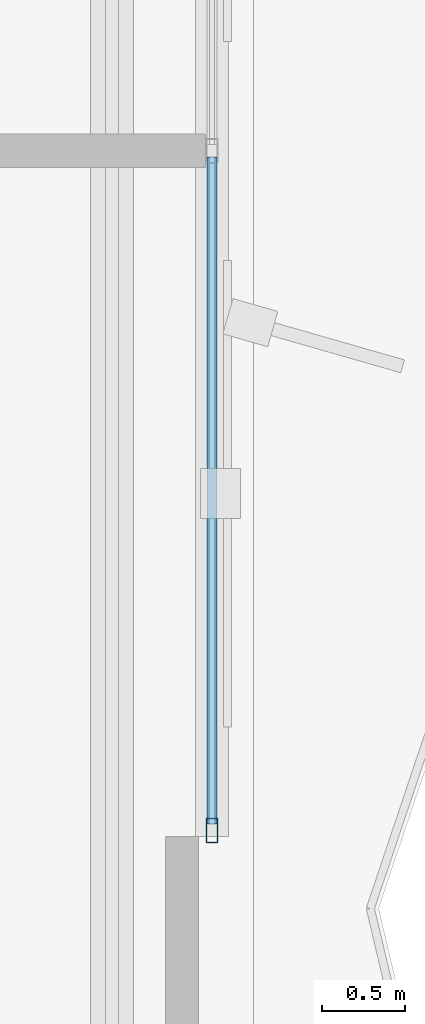
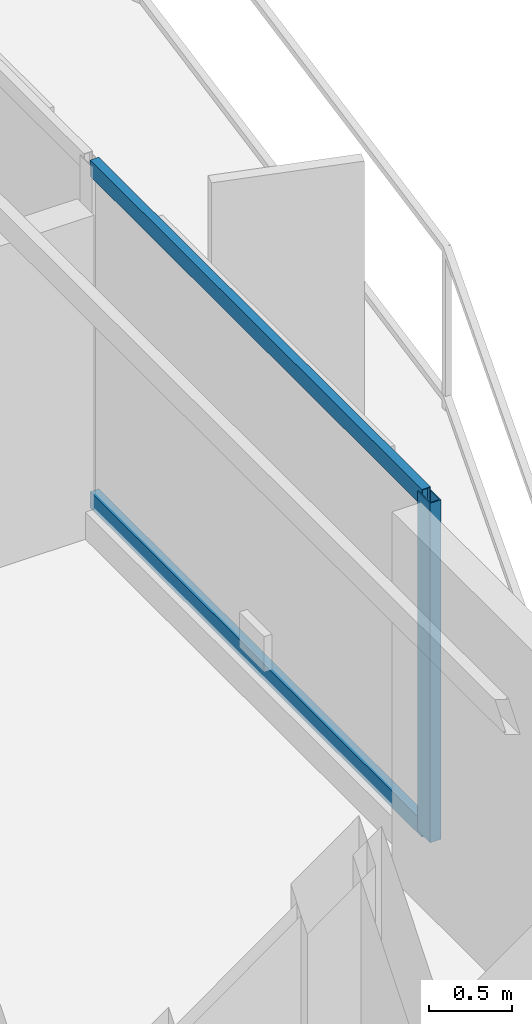
# One storey, part 7 of 18: 3 members, 1 element without a shape of its own.
"""IFC4 building model written with IfcOpenShell, lengths in metres."""

from ifc_helpers import new_model, si_unit, direction, frame, origin, origin_2d, place, context, subcontext, project, spatial, hollow_rectangle, extrude, material, layer, layer_set, material_profile, profile_set, type_object, element, aggregate, save


model = new_model("IFC4")

# Units and contexts
model_context = context("Model", 3, precision=1e-05, world=origin(), true_north=direction((0.0, 1.0)))
body_context = subcontext(model_context, "Body", "Model", "MODEL_VIEW")
ifc_project = project(units=[si_unit("LENGTHUNIT", "METRE"), si_unit("AREAUNIT", "SQUARE_METRE"), si_unit("VOLUMEUNIT", "CUBIC_METRE"), si_unit("PLANEANGLEUNIT", "RADIAN"), si_unit("MASSUNIT", "GRAM", prefix="KILO")], contexts=[model_context])

# Site, building, storey
site_placement = place(None, origin())
site = spatial("IfcSite", under=ifc_project, at=site_placement, CompositionType="ELEMENT")
building_placement = place(site_placement, origin())
building = spatial("IfcBuilding", under=site, at=building_placement, Name="Mersakhor Tower and Convention Hall", CompositionType="ELEMENT")
storey_placement = place(building_placement, frame((0.0, 0.0, 236.39990234375)))
storey = spatial("IfcBuildingStorey", under=building, at=storey_placement, Name="L66", CompositionType="ELEMENT", Elevation=236.39990234375)

# Curtain wall, members
ifc_material_1 = material(Name="Dark solar low-E aluminium curtain wall", Category="aluminium")
ifc_layer = layer(ifc_material_1, 0.179931640625)
ifc_layer_set = layer_set([ifc_layer], Name="Dark solar low-E aluminium curtain wall")
curtain_wall_type = type_object("IfcCurtainWallType", Name="CW-SYS-03", PredefinedType="USERDEFINED", material=ifc_layer_set)
curtain_wall_placement = place(storey_placement, origin())
curtain_wall = element("IfcCurtainWall", 1, at=curtain_wall_placement, inside=storey, type_object=curtain_wall_type, Name="L66 Dark-Glass Curtain Wall F2-B2", ObjectType="CURTAIN WALL", PredefinedType="USERDEFINED")
ifc_material_2 = material(Name="Anodised aluminium EN AW-6063 T6", Category="aluminium")
ifc_material_profile_1 = material_profile(ifc_material_2, hollow_rectangle(XDim=0.074951171875, YDim=0.14990234375, WallThickness=0.00634765625, at=origin_2d()), Name="RHS 150x75x6.3")
ifc_profile_set_1 = profile_set([ifc_material_profile_1], Name="Anodised aluminium EN AW-6063 T6")
member_type_1 = type_object("IfcMemberType", Name="CWM-150x75", PredefinedType="MULLION", material=ifc_profile_set_1)
member_1_placement = place(storey_placement, frame((39.742919921875, 22.673583984375, 0.2001953125), z_axis=(0.0, 0.0, 1.0), x_axis=(1.0, 0.0, 0.0)))
member_1 = element("IfcMember", 2, at=member_1_placement, type_object=member_type_1, Name="CW-03 mullion 3", PredefinedType="MULLION", context=body_context, shape_type="SweptSolid", body=[
    extrude(hollow_rectangle(XDim=0.074951171875, YDim=0.14990234375, WallThickness=0.00634765625, at=origin_2d()), origin(), (0.0, 0.0, 1.0), 2.5),
])
ifc_material_3 = material(Name="Anodised aluminium EN AW-6063 T6", Category="aluminium")
ifc_material_profile_2 = material_profile(ifc_material_3, hollow_rectangle(XDim=0.06005859375, YDim=0.1201171875, WallThickness=0.0048828125, at=origin_2d()), Name="RHS 120x60x5")
ifc_profile_set_2 = profile_set([ifc_material_profile_2], Name="Anodised aluminium EN AW-6063 T6")
member_type_2 = type_object("IfcMemberType", Name="CWT-120x60", PredefinedType="USERDEFINED", material=ifc_profile_set_2)
member_2_placement = place(storey_placement, frame((39.742919921875, 26.71240234375, 0.22998046875), z_axis=(0.0, -1.0, 0.0), x_axis=(1.0, 0.0, 0.0)))
member_2 = element("IfcMember", 3, at=member_2_placement, type_object=member_type_2, Name="CW-03 transom 2.1", ObjectType="TRANSOM", PredefinedType="USERDEFINED", context=body_context, shape_type="SweptSolid", body=[
    extrude(hollow_rectangle(XDim=0.06005859375, YDim=0.1201171875, WallThickness=0.0048828125, at=origin_2d()), origin(), (0.0, 0.0, 1.0), 4.001220703125),
])
member_3_placement = place(storey_placement, frame((39.742919921875, 26.71240234375, 2.670166015625), z_axis=(0.0, -1.0, 0.0), x_axis=(1.0, 0.0, 0.0)))
member_3 = element("IfcMember", 4, at=member_3_placement, type_object=member_type_2, Name="CW-03 transom 2.2", ObjectType="TRANSOM", PredefinedType="USERDEFINED", context=body_context, shape_type="SweptSolid", body=[
    extrude(hollow_rectangle(XDim=0.06005859375, YDim=0.1201171875, WallThickness=0.0048828125, at=origin_2d()), origin(), (0.0, 0.0, 1.0), 4.001220703125),
])
aggregate(curtain_wall, [member_1, member_2, member_3])

save(model, "model.ifc")
